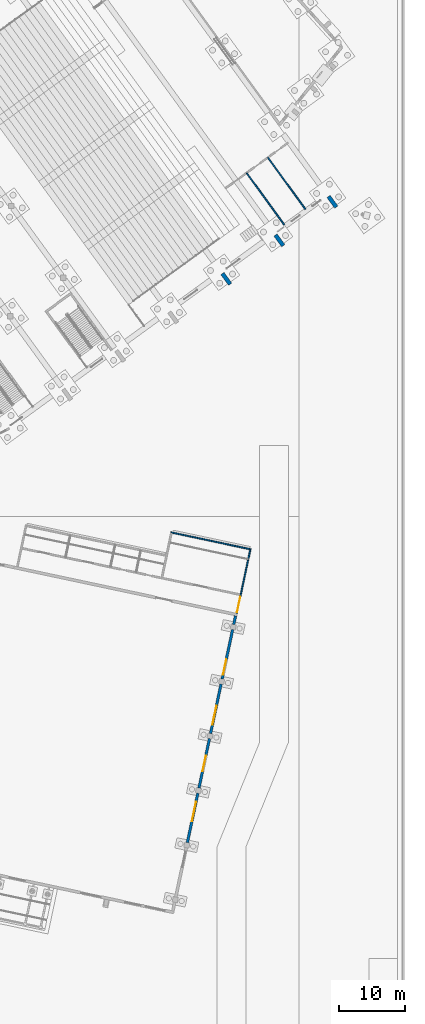
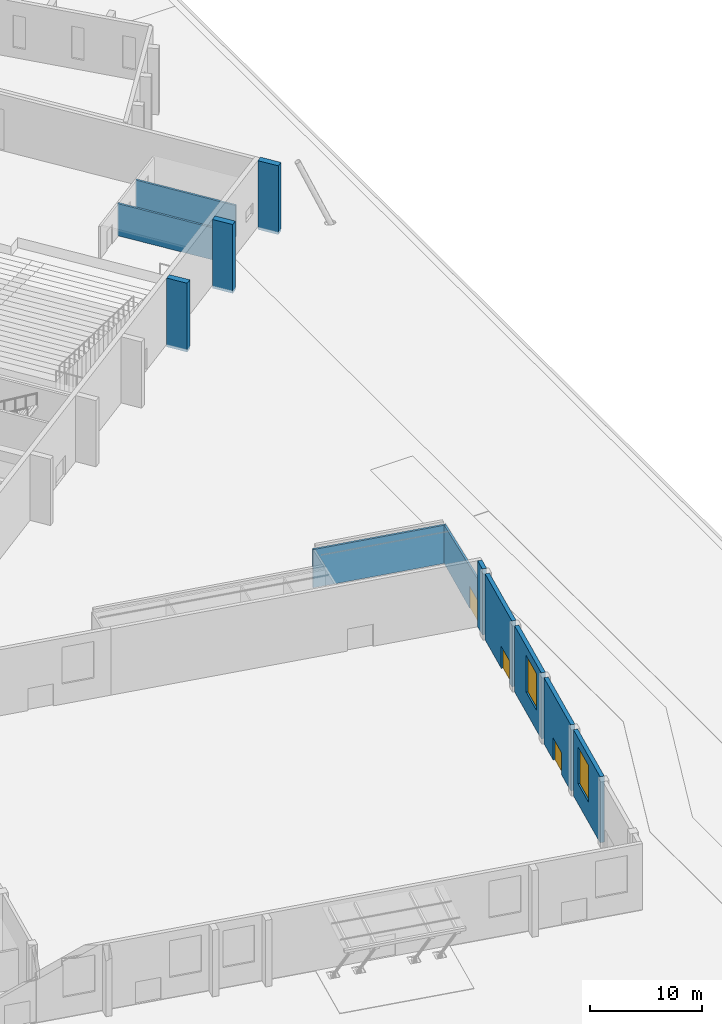
# One storey, part 188 of 239: 12 walls, 3 doors, 2 windows, 5 openings.
"""IFC4 building model written with IfcOpenShell, lengths in metres."""

from ifc_helpers import new_model, si_unit, direction, frame, frame_2d, origin, place, context, subcontext, project, spatial, polyline, rectangle, outline, extrude, material, layer, layer_set, type_object, element, fill, save


model = new_model("IFC4")

# Units and contexts
model_context = context("Model", 3, precision=1e-05, world=origin(), true_north=direction((0.0, 1.0)))
body_context = subcontext(model_context, "Body", "Model", "MODEL_VIEW")
ifc_project = project(units=[si_unit("LENGTHUNIT", "METRE"), si_unit("AREAUNIT", "SQUARE_METRE"), si_unit("VOLUMEUNIT", "CUBIC_METRE"), si_unit("PLANEANGLEUNIT", "RADIAN"), si_unit("MASSUNIT", "GRAM", prefix="KILO")], contexts=[model_context])

# Site, building, storey
site_placement = place(None, origin())
site = spatial("IfcSite", under=ifc_project, at=site_placement, CompositionType="ELEMENT")
building_placement = place(site_placement, origin())
building = spatial("IfcBuilding", under=site, at=building_placement, Name="Okhra Congress Centre", CompositionType="ELEMENT")
storey_placement = place(building_placement, origin())
storey = spatial("IfcBuildingStorey", under=building, at=storey_placement, Name="L00", CompositionType="ELEMENT", Elevation=0.0)

# Walls
ifc_material_1 = material(Name="Concrete C35/45", Category="concrete")
ifc_layer_1 = layer(ifc_material_1, 0.60009765625)
ifc_layer_set_1 = layer_set([ifc_layer_1], Name="Buttress fin 600 R 120 C35/45")
wall_type_1 = type_object("IfcWallType", Name="Buttress fin 600 R 120 C35/45", PredefinedType="SOLIDWALL", material=ifc_layer_set_1)
for number, where, z_axis, x_axis, name in (
    (1, (262.318115234375, 179.41796875, -0.300048828125), (0.0, 0.0, 1.0), (0.587801445368, -0.80900522917, 0.0), "Buttress fin S 10 L00"),
    (2, (270.408203125, 185.2958984375, -0.300048828125), (0.0, 0.0, 1.0), (0.587801445368, -0.80900522917, 0.0), "Buttress fin S 20 L00"),
    (3, (278.49853515625, 191.173828125, -0.300048828125), (0.0, 0.0, 1.0), (0.587743397701, -0.809047401861, 0.0), "Buttress fin S 30 L00"),
):
    element("IfcWall", number, at=place(storey_placement, frame(where, z_axis=z_axis, x_axis=x_axis)), inside=storey, type_object=wall_type_1, Name=name, PredefinedType="SOLIDWALL", context=body_context, shape_type="SweptSolid", body=[
        extrude(rectangle(XDim=2.0, YDim=0.60009765625, at=frame_2d((1.0, 0.0))), origin(), (0.0, 0.0, 1.0), 7.5),
    ])

# Wall, opening, window
ifc_material_2 = material(Name="Insulated metal sandwich panel (mineral wool core)")
ifc_layer_2 = layer(ifc_material_2, 0.39990234375)
ifc_layer_set_2 = layer_set([ifc_layer_2], Name="Insulated wall panel 400")
wall_type_2 = type_object("IfcWallType", Name="Insulated wall panel 400", PredefinedType="SOLIDWALL", material=ifc_layer_set_2)
wall_1_placement = place(storey_placement, frame((256.967529296875, 92.653564453125, 0.0), z_axis=(0.0, 0.0, 1.0), x_axis=(0.207930804564, 0.978143537786, 0.0)))
wall_1 = element("IfcWall", 4, at=wall_1_placement, inside=storey, type_object=wall_type_2, Name="Ballroom east wall", PredefinedType="SOLIDWALL", context=body_context, shape_type="SweptSolid", body=[
    extrude(rectangle(XDim=7.699951171875, YDim=0.39990234375, at=frame_2d((3.85009765625, 0.0))), origin(), (0.0, 0.0, 1.0), 7.199951171875),
])
opening_1_placement = place(wall_1_placement, frame((3.35009765625, 0.0, 2.199951171875)))
opening_1 = element("IfcOpeningElement", 5, at=opening_1_placement, cuts=wall_1, Name="Opening WN12", PredefinedType="OPENING", context=body_context, shape_type="SweptSolid", body=[
    extrude(rectangle(XDim=3.0, YDim=4.0, at=frame_2d((1.5, 2.0))), frame((0.0, 0.2099609375, 0.0), z_axis=(0.0, -1.0, 0.0), x_axis=(1.0, 0.0, 0.0)), (0.0, 0.0, 1.0), 0.419921875),
])
ifc_material_3 = material(Name="Thermally broken aluminium frame, triple glazing", Category="aluminium")
window_type = type_object("IfcWindowType", Name="Fixed window 3000x4000", PartitioningType="SINGLE_PANEL", PredefinedType="WINDOW", material=ifc_material_3)
window_1_placement = place(opening_1_placement, origin())
window_1 = element("IfcWindow", 6, at=window_1_placement, inside=storey, type_object=window_type, Name="Ballroom side window", OverallHeight=4.0, OverallWidth=3.0, PartitioningType="SINGLE_PANEL", PredefinedType="WINDOW", context=body_context, shape_type="SweptSolid", body=[
    extrude(rectangle(XDim=3.0, YDim=4.0, at=frame_2d((1.5, 2.0))), frame((0.0, 0.030029296875, 0.0), z_axis=(0.0, -1.0, 0.0), x_axis=(1.0, 0.0, 0.0)), (0.0, 0.0, 1.0), 0.06005859375),
])
fill(opening_1, window_1)

# Wall, opening, door
wall_2_placement = place(storey_placement, frame((258.73486328125, 100.9677734375, 0.0), z_axis=(0.0, 0.0, 1.0), x_axis=(0.207900468663, 0.978149986009, 0.0)))
wall_2 = element("IfcWall", 7, at=wall_2_placement, inside=storey, type_object=wall_type_2, Name="Ballroom east wall", PredefinedType="SOLIDWALL", context=body_context, shape_type="SweptSolid", body=[
    extrude(rectangle(XDim=7.699951171875, YDim=0.39990234375, at=frame_2d((3.85009765625, 0.0))), origin(), (0.0, 0.0, 1.0), 7.199951171875),
])
opening_2_placement = place(wall_2_placement, frame((2.64990234375, 0.0, 0.0)))
opening_2 = element("IfcOpeningElement", 8, at=opening_2_placement, cuts=wall_2, Name="Opening L00-115", PredefinedType="OPENING", context=body_context, shape_type="SweptSolid", body=[
    extrude(rectangle(XDim=2.39990234375, YDim=2.39990234375, at=frame_2d((1.199951171875, 1.199951171875))), frame((0.0, 0.2099609375, 0.0), z_axis=(0.0, -1.0, 0.0), x_axis=(1.0, 0.0, 0.0)), (0.0, 0.0, 1.0), 0.419921875),
])
ifc_material_4 = material(Name="Timber door leaves in steel frame", Category="steel")
door_type = type_object("IfcDoorType", Name="Double swing door 2400x2400", OperationType="NOTDEFINED", PredefinedType="DOOR", material=ifc_material_4)
door_1_placement = place(opening_2_placement, frame((2.39990234375, 0.0, 0.0), z_axis=(0.0, 0.0, 1.0), x_axis=(-1.0, 0.0, 0.0)))
door_1 = element("IfcDoor", 9, at=door_1_placement, inside=storey, type_object=door_type, Name="Ballroom east exit doors", OperationType="DOUBLE_DOOR_SINGLE_SWING", OverallHeight=2.39990234375, OverallWidth=2.39990234375, PredefinedType="DOOR", context=body_context, shape_type="SweptSolid", body=[
    extrude(rectangle(XDim=2.39990234375, YDim=2.39990234375, at=frame_2d((1.199951171875, 1.199951171875))), frame((0.0, 0.02490234375, 0.0), z_axis=(0.0, -1.0, 0.0), x_axis=(1.0, 0.0, 0.0)), (0.0, 0.0, 1.0), 0.050048828125),
])
fill(opening_2, door_1)

# Wall, opening, window
wall_3_placement = place(storey_placement, frame((260.502197265625, 109.281982421875, 0.0), z_axis=(0.0, 0.0, 1.0), x_axis=(0.207900468663, 0.978149986009, 0.0)))
wall_3 = element("IfcWall", 10, at=wall_3_placement, inside=storey, type_object=wall_type_2, Name="Ballroom east wall", PredefinedType="SOLIDWALL", context=body_context, shape_type="SweptSolid", body=[
    extrude(rectangle(XDim=7.699951171875, YDim=0.39990234375, at=frame_2d((3.85009765625, 0.0))), origin(), (0.0, 0.0, 1.0), 7.199951171875),
])
opening_3_placement = place(wall_3_placement, frame((1.35009765625, 0.0, 2.199951171875)))
opening_3 = element("IfcOpeningElement", 11, at=opening_3_placement, cuts=wall_3, Name="Opening WN12", PredefinedType="OPENING", context=body_context, shape_type="SweptSolid", body=[
    extrude(rectangle(XDim=3.0, YDim=4.0, at=frame_2d((1.5, 2.0))), frame((0.0, 0.2099609375, 0.0), z_axis=(0.0, -1.0, 0.0), x_axis=(1.0, 0.0, 0.0)), (0.0, 0.0, 1.0), 0.419921875),
])
window_2_placement = place(opening_3_placement, origin())
window_2 = element("IfcWindow", 12, at=window_2_placement, inside=storey, type_object=window_type, Name="Ballroom side window", OverallHeight=4.0, OverallWidth=3.0, PartitioningType="SINGLE_PANEL", PredefinedType="WINDOW", context=body_context, shape_type="SweptSolid", body=[
    extrude(rectangle(XDim=3.0, YDim=4.0, at=frame_2d((1.5, 2.0))), frame((0.0, 0.030029296875, 0.0), z_axis=(0.0, -1.0, 0.0), x_axis=(1.0, 0.0, 0.0)), (0.0, 0.0, 1.0), 0.06005859375),
])
fill(opening_3, window_2)

# Wall, opening, door
wall_4_placement = place(storey_placement, frame((262.269287109375, 117.59619140625, 0.0), z_axis=(0.0, 0.0, 1.0), x_axis=(0.207930804564, 0.978143537786, 0.0)))
wall_4 = element("IfcWall", 13, at=wall_4_placement, inside=storey, type_object=wall_type_2, Name="Ballroom east wall", PredefinedType="SOLIDWALL", context=body_context, shape_type="SweptSolid", body=[
    extrude(rectangle(XDim=7.699951171875, YDim=0.39990234375, at=frame_2d((3.85009765625, 0.0))), origin(), (0.0, 0.0, 1.0), 7.199951171875),
])
opening_4_placement = place(wall_4_placement, frame((0.64990234375, 0.0, 0.0)))
opening_4 = element("IfcOpeningElement", 14, at=opening_4_placement, cuts=wall_4, Name="Opening L00-116", PredefinedType="OPENING", context=body_context, shape_type="SweptSolid", body=[
    extrude(rectangle(XDim=2.39990234375, YDim=2.39990234375, at=frame_2d((1.199951171875, 1.199951171875))), frame((0.0, 0.2099609375, 0.0), z_axis=(0.0, -1.0, 0.0), x_axis=(1.0, 0.0, 0.0)), (0.0, 0.0, 1.0), 0.419921875),
])
door_2_placement = place(opening_4_placement, frame((2.39990234375, 0.0, 0.0), z_axis=(0.0, 0.0, 1.0), x_axis=(-1.0, 0.0, 0.0)))
door_2 = element("IfcDoor", 15, at=door_2_placement, inside=storey, type_object=door_type, Name="Ballroom east exit doors", OperationType="DOUBLE_DOOR_SINGLE_SWING", OverallHeight=2.39990234375, OverallWidth=2.39990234375, PredefinedType="DOOR", context=body_context, shape_type="SweptSolid", body=[
    extrude(rectangle(XDim=2.39990234375, YDim=2.39990234375, at=frame_2d((1.199951171875, 1.199951171875))), frame((0.0, 0.02490234375, 0.0), z_axis=(0.0, -1.0, 0.0), x_axis=(1.0, 0.0, 0.0)), (0.0, 0.0, 1.0), 0.050048828125),
])
fill(opening_4, door_2)

# Wall
wall_5_placement = place(storey_placement, frame((264.03662109375, 125.91064453125, 0.0), z_axis=(0.0, 0.0, 1.0), x_axis=(0.20799719591, 0.978129422159, 0.0)))
element("IfcWall", 16, at=wall_5_placement, inside=storey, type_object=wall_type_2, Name="Ballroom east wall", PredefinedType="SOLIDWALL", context=body_context, shape_type="SweptSolid", body=[
    extrude(rectangle(XDim=1.349853515625, YDim=0.39990234375, at=frame_2d((0.6748046875, 0.0))), origin(), (0.0, 0.0, 1.0), 7.199951171875),
])

# Wall, opening, door
ifc_material_5 = material(Name="Concrete C30/37", Category="concrete")
ifc_layer_3 = layer(ifc_material_5, 0.199951171875)
ifc_layer_set_3 = layer_set([ifc_layer_3], Name="RC wall 200 REI 120 C30/37")
wall_type_3 = type_object("IfcWallType", Name="RC wall 200 REI 120 C30/37", PredefinedType="SOLIDWALL", material=ifc_layer_set_3)
wall_6_placement = place(storey_placement, frame((264.498291015625, 127.6015625, 0.0), z_axis=(0.0, 0.0, 1.0), x_axis=(0.207915384297, 0.978146815653, 0.0)))
wall_6 = element("IfcWall", 17, at=wall_6_placement, inside=storey, type_object=wall_type_3, Name="Catering annex east wall", PredefinedType="SOLIDWALL", context=body_context, shape_type="SweptSolid", body=[
    extrude(outline(polyline([(0.0, 0.0), (9.89990234375, 0.0), (9.89990234375, 4.16650390625), (0.0, 4.719970703125), (0.0, 0.0)])), frame((0.0, 0.10009765625, 0.0), z_axis=(0.0, -1.0, 0.0), x_axis=(1.0, 0.0, 0.0)), (0.0, 0.0, 1.0), 0.199951171875),
])
opening_5_placement = place(wall_6_placement, frame((0.199951171875, 0.0, 0.0)))
opening_5 = element("IfcOpeningElement", 18, at=opening_5_placement, cuts=wall_6, Name="Opening L00-129", PredefinedType="OPENING", context=body_context, shape_type="SweptSolid", body=[
    extrude(rectangle(XDim=2.39990234375, YDim=2.39990234375, at=frame_2d((1.199951171875, 1.199951171875))), frame((0.0, 0.10986328125, 0.0), z_axis=(0.0, -1.0, 0.0), x_axis=(1.0, 0.0, 0.0)), (0.0, 0.0, 1.0), 0.219970703125),
])
door_3_placement = place(opening_5_placement, frame((2.39990234375, 0.0, 0.0), z_axis=(0.0, 0.0, 1.0), x_axis=(-1.0, 0.0, 0.0)))
door_3 = element("IfcDoor", 19, at=door_3_placement, inside=storey, type_object=door_type, Name="Catering corridor exit doors", OperationType="DOUBLE_DOOR_SINGLE_SWING", OverallHeight=2.39990234375, OverallWidth=2.39990234375, PredefinedType="DOOR", context=body_context, shape_type="SweptSolid", body=[
    extrude(rectangle(XDim=2.39990234375, YDim=2.39990234375, at=frame_2d((1.199951171875, 1.199951171875))), frame((0.0, 0.02490234375, 0.0), z_axis=(0.0, -1.0, 0.0), x_axis=(1.0, 0.0, 0.0)), (0.0, 0.0, 1.0), 0.050048828125),
])
fill(opening_5, door_3)

# Walls
wall_7_placement = place(storey_placement, frame((254.448486328125, 139.961181640625, 0.0), z_axis=(0.0, 0.0, 1.0), x_axis=(0.978147780131, -0.207910846818, 0.0)))
element("IfcWall", 20, at=wall_7_placement, inside=storey, type_object=wall_type_3, Name="Furniture store north wall", PredefinedType="SOLIDWALL", context=body_context, shape_type="SweptSolid", body=[
    extrude(rectangle(XDim=12.5, YDim=0.199951171875, at=frame_2d((6.25, 0.0))), origin(), (0.0, 0.0, 1.0), 4.160888671875),
])
for number, where, z_axis, x_axis, name in (
    (21, (266.00146484375, 194.763916015625, 1.10009765625), (0.0, 0.0, 1.0), (0.587787505146, -0.809015357577, 0.0), "Stage wing S dividing wall 1"),
    (22, (269.237548828125, 197.114990234375, 1.10009765625), (0.0, 0.0, 1.0), (0.587787505146, -0.809015357577, 0.0), "Stage wing S dividing wall 2"),
):
    element("IfcWall", number, at=place(storey_placement, frame(where, z_axis=z_axis, x_axis=x_axis)), inside=storey, type_object=wall_type_3, Name=name, PredefinedType="SOLIDWALL", context=body_context, shape_type="SweptSolid", body=[
        extrude(rectangle(XDim=9.75, YDim=0.199951171875, at=frame_2d((4.875, 0.0))), origin(), (0.0, 0.0, 1.0), 3.5),
    ])

save(model, "model.ifc")
